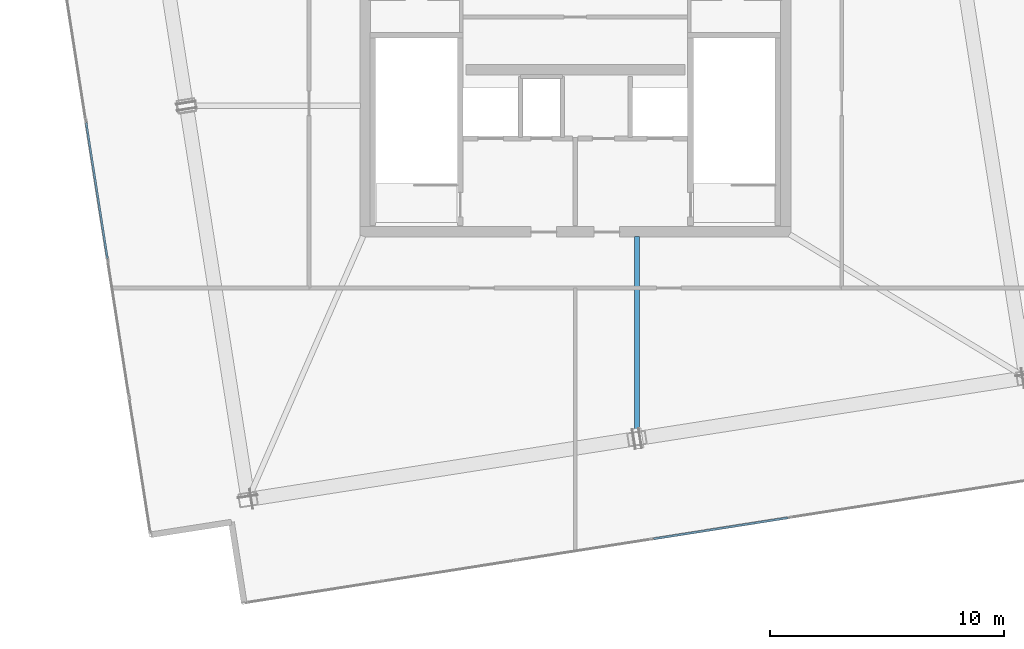
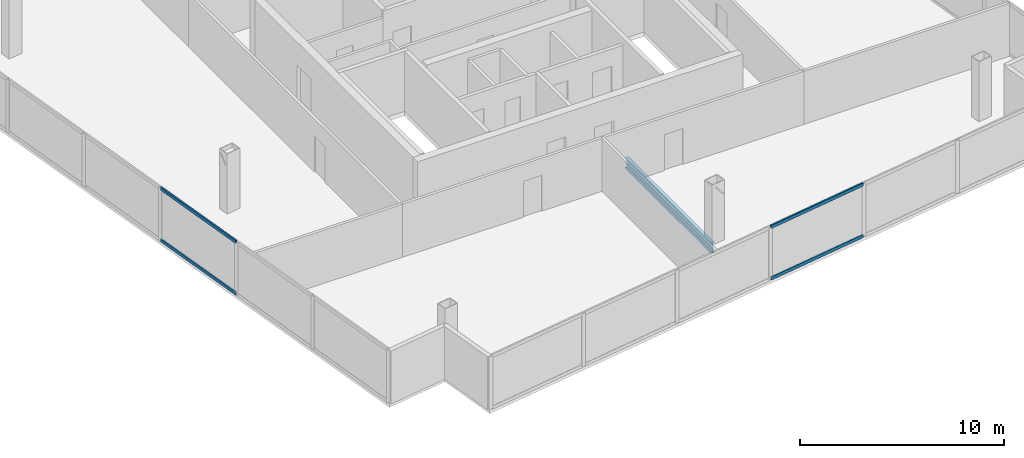
# One storey, part 4 of 17: 4 members, 1 beam, 2 elements without a shape of their own.
"""IFC4 building model written with IfcOpenShell, lengths in metres."""

import ifcopenshell
import ifcopenshell.guid

model = None  # the IFC model being written
_history = None  # IfcOwnerHistory: only IFC2X3 demands one
_inside = {}  # id of a spatial element -> (the spatial element, [elements in it])
_under = {}  # id of a project, library or spatial element -> (it, [spatial elements below it])
_declared = {}  # id of a project -> (the project, [libraries it declares])
_typed = {}  # id of a type object -> (the type object, [elements of that type])
_made_of = {}  # id of a material, layer set ... -> (it, [elements and type objects made of it])


def new_model(schema):
    """Start an empty IFC model of exactly this schema.

    Asked for "IFC4X3", IfcOpenShell would pick the latest addendum, in which some entities
    have other attributes; the version numbers below select the first issue.
    IFC2X3 requires an IfcOwnerHistory on every rooted entity: one is made here for all.
    """
    global model, _history
    if schema == "IFC4X3":
        model = ifcopenshell.file(schema_version=(4, 3, 0, 0))
    else:
        model = ifcopenshell.file(schema=schema)
    _inside.clear()
    _under.clear()
    _declared.clear()
    _typed.clear()
    _made_of.clear()
    _history = None
    if model.schema == "IFC2X3":
        org = make("IfcOrganization", Name="unknown")
        user = make(
            "IfcPersonAndOrganization",
            ThePerson=make("IfcPerson", FamilyName="unknown"),
            TheOrganization=org,
        )
        app = make(
            "IfcApplication",
            ApplicationDeveloper=org,
            Version="unknown",
            ApplicationFullName="unknown",
            ApplicationIdentifier="unknown",
        )
        _history = make(
            "IfcOwnerHistory",
            OwningUser=user,
            OwningApplication=app,
            ChangeAction="ADDED",
            CreationDate=0,
        )
    return model


def make(cls, **values):
    """One entity of the class cls with the attributes given. An attribute that is None is left unset."""
    return model.create_entity(
        cls, **{name: value for name, value in values.items() if value is not None}
    )


def rooted(cls, **values):
    """An entity with a GlobalId (a new one), such as an element, a storey or a relation."""
    return make(cls, GlobalId=ifcopenshell.guid.new(), OwnerHistory=_history, **values)


def si_unit(unit_type, name, prefix=None):
    """IfcSIUnit, for example si_unit("LENGTHUNIT", "METRE", prefix="MILLI")."""
    return make("IfcSIUnit", UnitType=unit_type, Prefix=prefix, Name=name)


def assignment(units):
    """IfcUnitAssignment: the units of a project."""
    return None if units is None else make("IfcUnitAssignment", Units=units)


def point(xyz):
    """IfcCartesianPoint."""
    return None if xyz is None else make("IfcCartesianPoint", Coordinates=xyz)


def direction(xyz):
    """IfcDirection."""
    return None if xyz is None else make("IfcDirection", DirectionRatios=xyz)


def frame(location, z_axis=None, x_axis=None):
    """IfcAxis2Placement3D, a coordinate frame: its origin and axes. An axis left out is left unset."""
    return make(
        "IfcAxis2Placement3D",
        Location=point(location),
        Axis=direction(z_axis),
        RefDirection=direction(x_axis),
    )


def frame_2d(location, x_axis=None):
    """IfcAxis2Placement2D, a coordinate frame in the plane: its origin and x axis."""
    return make(
        "IfcAxis2Placement2D", Location=point(location), RefDirection=direction(x_axis)
    )


def origin():
    """The frame at (0, 0, 0) with its axes left unset."""
    return frame((0.0, 0.0, 0.0))


def origin_2d():
    """The frame at (0, 0) in the plane with its x axis left unset."""
    return frame_2d((0.0, 0.0))


def place(relative_to, where):
    """IfcLocalPlacement: puts the frame where relative to a parent placement (None: the world)."""
    return make(
        "IfcLocalPlacement", PlacementRelTo=relative_to, RelativePlacement=where
    )


def context(
    kind, dimensions, precision=None, world=None, true_north=None, identifier=None
):
    """IfcGeometricRepresentationContext, for example the 3D "Model" context."""
    return make(
        "IfcGeometricRepresentationContext",
        ContextIdentifier=identifier,
        ContextType=kind,
        CoordinateSpaceDimension=dimensions,
        Precision=precision,
        WorldCoordinateSystem=world,
        TrueNorth=true_north,
    )


def subcontext(parent, identifier, kind, view, scale=None):
    """IfcGeometricRepresentationSubContext, for example "Body" below "Model"."""
    return make(
        "IfcGeometricRepresentationSubContext",
        ContextIdentifier=identifier,
        ContextType=kind,
        ParentContext=parent,
        TargetScale=scale,
        TargetView=view,
    )


def project(units=None, contexts=None):
    """IfcProject with its units and contexts."""
    return rooted(
        "IfcProject",
        Name="project",
        RepresentationContexts=contexts,
        UnitsInContext=assignment(units),
    )


def spatial(cls, under=None, at=None, **own):
    """A site, building, storey or space (cls), placed at a placement, below another one or the project."""
    s = rooted(cls, ObjectPlacement=at, **own)
    if under is not None:
        _under.setdefault(under.id(), (under, []))[1].append(s)
    return s


def profile(cls, at=None, kind="AREA", **sizes):
    """A parametric profile (cls). Its sizes go by their IFC names, for example OverallWidth=200.0."""
    return make(cls, ProfileType=kind, Position=at, **sizes)


def hollow_rectangle(**sizes):
    """IfcRectangleHollowProfileDef."""
    return profile("IfcRectangleHollowProfileDef", **sizes)


def i_section(**sizes):
    """IfcIShapeProfileDef."""
    return profile("IfcIShapeProfileDef", **sizes)


def extrude(swept, where, along, depth):
    """IfcExtrudedAreaSolid: the profile swept, set in the frame where, extruded along a direction by depth."""
    return make(
        "IfcExtrudedAreaSolid",
        SweptArea=swept,
        Position=where,
        ExtrudedDirection=direction(along),
        Depth=depth,
    )


def shape(context_of_items, identifier, shape_type, items):
    """IfcShapeRepresentation: the items that make up one representation, for example the "Body"."""
    return make(
        "IfcShapeRepresentation",
        ContextOfItems=context_of_items,
        RepresentationIdentifier=identifier,
        RepresentationType=shape_type,
        Items=items,
    )


def material(Name=None, Category=None):
    """IfcMaterial."""
    return make("IfcMaterial", Name=Name, Category=Category)


def material_profile(
    of_material, cross_section, Name=None, Category=None, Priority=None
):
    """IfcMaterialProfile: a cross section and its material."""
    return make(
        "IfcMaterialProfile",
        Name=Name,
        Material=of_material,
        Profile=cross_section,
        Priority=Priority,
        Category=Category,
    )


def profile_set(profiles, Name=None, composite=None):
    """IfcMaterialProfileSet."""
    return make(
        "IfcMaterialProfileSet",
        Name=Name,
        MaterialProfiles=profiles,
        CompositeProfile=composite,
    )


def made_of(thing, what):
    """Note that an element or type object is made of a material, layer set ...; save() writes the relation."""
    if what is not None:
        _made_of.setdefault(what.id(), (what, []))[1].append(thing)
    return thing


def type_object(cls, material=None, **own):
    """A type object (cls), such as IfcWallType, which elements share."""
    return made_of(rooted(cls, **own), material)


def element(
    cls,
    number,
    at=None,
    inside=None,
    cuts=None,
    type_object=None,
    material=None,
    context=None,
    identifier="Body",
    shape_type=None,
    held_by="IfcProductDefinitionShape",
    body=None,
    shapes=None,
    **own,
):
    """One element of the class cls, such as IfcWall. Its Tag is "e" and its number.

    at: its placement. inside: the storey or other place that contains it. cuts: it is an
    opening in that element (IfcRelVoidsElement). A single representation is given by context,
    identifier, shape_type and body (its items); several are given by shapes. held_by: the class
    of the entity that holds the representations. save() writes the other relations.
    """
    e = rooted(cls, Tag="e%d" % number, ObjectPlacement=at, **own)
    if body is not None:
        shapes = [shape(context, identifier, shape_type, body)]
    if shapes is not None:
        e.Representation = make(held_by, Representations=shapes)
    if inside is not None:
        _inside.setdefault(inside.id(), (inside, []))[1].append(e)
    if cuts is not None:
        rooted(
            "IfcRelVoidsElement", RelatingBuildingElement=cuts, RelatedOpeningElement=e
        )
    if type_object is not None:
        _typed.setdefault(type_object.id(), (type_object, []))[1].append(e)
    return made_of(e, material)


def aggregate(whole, parts):
    """IfcRelAggregates: a whole, such as a stair, and the parts it consists of."""
    return rooted("IfcRelAggregates", RelatingObject=whole, RelatedObjects=parts)


def save(model, path):
    """Write the relations noted so far, then the file.

    IfcRelAggregates (storeys below a building ...), IfcRelContainedInSpatialStructure (elements
    in a storey), IfcRelDefinesByType, IfcRelAssociatesMaterial and IfcRelDeclares: one each for
    every whole, place, type object, material and project.
    """
    for whole, parts in _under.values():
        aggregate(whole, parts)
    for where, things in _inside.values():
        rooted(
            "IfcRelContainedInSpatialStructure",
            RelatedElements=things,
            RelatingStructure=where,
        )
    for kind, things in _typed.values():
        rooted("IfcRelDefinesByType", RelatedObjects=things, RelatingType=kind)
    for what, things in _made_of.values():
        rooted("IfcRelAssociatesMaterial", RelatedObjects=things, RelatingMaterial=what)
    for by, libraries in _declared.values():
        rooted("IfcRelDeclares", RelatingContext=by, RelatedDefinitions=libraries)
    model.write(path)


model = new_model("IFC4")

# Units and contexts
model_context = context("Model", 3, precision=1e-05, world=origin(), true_north=direction((0.0, 1.0)))
body_context = subcontext(model_context, "Body", "Model", "MODEL_VIEW")
ifc_project = project(units=[si_unit("LENGTHUNIT", "METRE"), si_unit("AREAUNIT", "SQUARE_METRE"), si_unit("VOLUMEUNIT", "CUBIC_METRE"), si_unit("PLANEANGLEUNIT", "RADIAN"), si_unit("MASSUNIT", "GRAM", prefix="KILO")], contexts=[model_context])

# Site, building, storey
site_placement = place(None, origin())
site = spatial("IfcSite", under=ifc_project, at=site_placement, CompositionType="ELEMENT")
building_placement = place(site_placement, origin())
building = spatial("IfcBuilding", under=site, at=building_placement, Name="Haldenkirk Collegiate Tower", CompositionType="ELEMENT")
storey_placement = place(building_placement, frame((0.0, 0.0, 371.39990234375)))
storey = spatial("IfcBuildingStorey", under=building, at=storey_placement, Name="L94", CompositionType="ELEMENT", Elevation=371.39990234375)

# Beam
ifc_material_1 = material(Name="Steel ASTM A992 Grade 50", Category="steel")
ifc_material_profile_1 = material_profile(ifc_material_1, i_section(OverallWidth=0.22998046875, OverallDepth=0.616943359375, WebThickness=0.01318359375, FlangeThickness=0.022216796875, at=origin_2d()), Name="W24X94")
ifc_profile_set_1 = profile_set([ifc_material_profile_1], Name="Steel ASTM A992 Grade 50")
beam_type = type_object("IfcBeamType", Name="BM-GIRDER-W24X94", PredefinedType="BEAM", material=ifc_profile_set_1)
beam_placement = place(storey_placement, frame((38.6376953125, 9.305419921875, -0.578369140625), z_axis=(0.0, 1.0, 0.0), x_axis=(-1.0, 0.0, 0.0)))
element("IfcBeam", 1, at=beam_placement, inside=storey, type_object=beam_type, Name="L94 crown radial floor beam 8", PredefinedType="BEAM", context=body_context, shape_type="SweptSolid", body=[
    extrude(i_section(OverallWidth=0.22998046875, OverallDepth=0.616943359375, WebThickness=0.01318359375, FlangeThickness=0.022216796875, at=origin_2d()), origin(), (0.0, 0.0, 1.0), 8.49462890625),
])

# Curtain wall, members
ifc_material_2 = material(Name="Anodised architectural bronze aluminium", Category="aluminium")
curtain_wall_type = type_object("IfcCurtainWallType", Name="CW-SYS6-CROWN", PredefinedType="USERDEFINED", material=ifc_material_2)
curtain_wall_1_placement = place(storey_placement, origin())
curtain_wall_1 = element("IfcCurtainWall", 2, at=curtain_wall_1_placement, inside=storey, type_object=curtain_wall_type, Name="L94 Closed crown ring ceramic-fritted bronze screen curtain wall", ObjectType="UNITISED CURTAIN WALL", PredefinedType="USERDEFINED")
ifc_material_profile_2 = material_profile(ifc_material_2, hollow_rectangle(XDim=0.090087890625, YDim=0.18994140625, WallThickness=0.0048828125, at=origin_2d()), Name="CW-TRN-06")
ifc_profile_set_2 = profile_set([ifc_material_profile_2], Name="Anodised architectural bronze aluminium")
member_type = type_object("IfcMemberType", Name="CW-TRN-06", PredefinedType="USERDEFINED", material=ifc_profile_set_2)
member_1_placement = place(storey_placement, frame((15.971435546875, 16.869873046875, 0.045166015625), z_axis=(-0.154710174658, 0.987959898912, 0.0), x_axis=(-0.987959898912, -0.154710174658, 0.0)))
member_1 = element("IfcMember", 3, at=member_1_placement, type_object=member_type, Name="CW-06 transom 3.1", ObjectType="TRANSOM", PredefinedType="USERDEFINED", context=body_context, shape_type="SweptSolid", body=[
    extrude(hollow_rectangle(XDim=0.090087890625, YDim=0.18994140625, WallThickness=0.0048828125, at=origin_2d()), origin(), (0.0, 0.0, 1.0), 5.876708984375),
])
member_2_placement = place(storey_placement, frame((15.971435546875, 16.869873046875, 3.135009765625), z_axis=(-0.154710174658, 0.987959898912, 0.0), x_axis=(-0.987959898912, -0.154710174658, 0.0)))
member_2 = element("IfcMember", 4, at=member_2_placement, type_object=member_type, Name="CW-06 transom 3.2", ObjectType="TRANSOM", PredefinedType="USERDEFINED", context=body_context, shape_type="SweptSolid", body=[
    extrude(hollow_rectangle(XDim=0.090087890625, YDim=0.18994140625, WallThickness=0.0048828125, at=origin_2d()), origin(), (0.0, 0.0, 1.0), 5.876708984375),
])
aggregate(curtain_wall_1, [member_1, member_2])

curtain_wall_2_placement = place(storey_placement, origin())
curtain_wall_2 = element("IfcCurtainWall", 5, at=curtain_wall_2_placement, inside=storey, type_object=curtain_wall_type, Name="L94 Closed crown ring ceramic-fritted bronze screen curtain wall", ObjectType="UNITISED CURTAIN WALL", PredefinedType="USERDEFINED")
member_3_placement = place(storey_placement, frame((45.09521484375, 5.763427734375, 0.045166015625), z_axis=(-0.987958095237, -0.154721692257, 0.0), x_axis=(0.154721692257, -0.987958095237, 0.0)))
member_3 = element("IfcMember", 6, at=member_3_placement, type_object=member_type, Name="CW-06 transom 3.1", ObjectType="TRANSOM", PredefinedType="USERDEFINED", context=body_context, shape_type="SweptSolid", body=[
    extrude(hollow_rectangle(XDim=0.090087890625, YDim=0.18994140625, WallThickness=0.0048828125, at=origin_2d()), origin(), (0.0, 0.0, 1.0), 5.81005859375),
])
member_4_placement = place(storey_placement, frame((45.09521484375, 5.763427734375, 3.135009765625), z_axis=(-0.987958095237, -0.154721692257, 0.0), x_axis=(0.154721692257, -0.987958095237, 0.0)))
member_4 = element("IfcMember", 7, at=member_4_placement, type_object=member_type, Name="CW-06 transom 3.2", ObjectType="TRANSOM", PredefinedType="USERDEFINED", context=body_context, shape_type="SweptSolid", body=[
    extrude(hollow_rectangle(XDim=0.090087890625, YDim=0.18994140625, WallThickness=0.0048828125, at=origin_2d()), origin(), (0.0, 0.0, 1.0), 5.81005859375),
])
aggregate(curtain_wall_2, [member_3, member_4])

save(model, "model.ifc")
